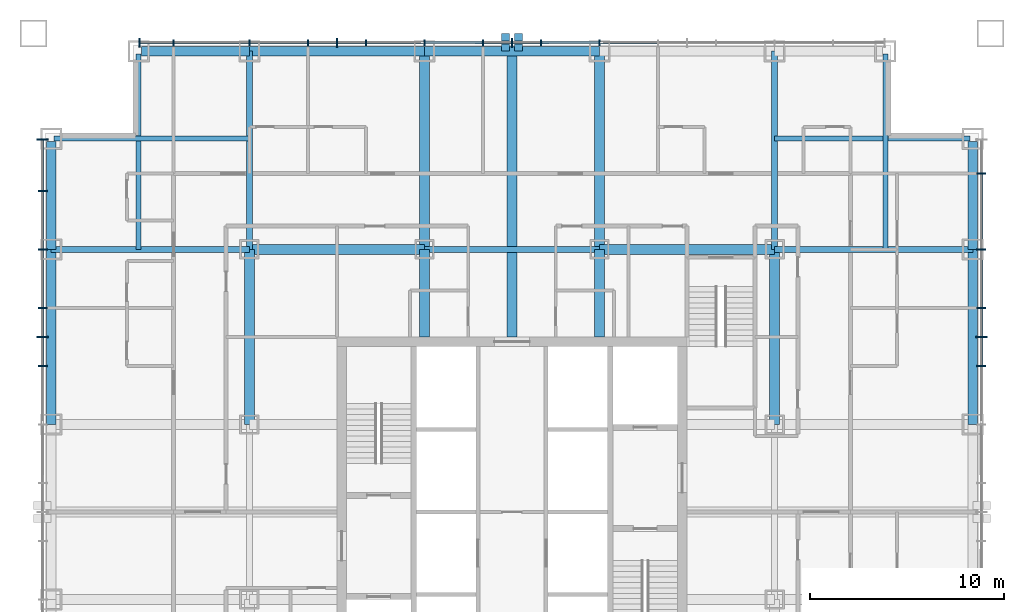
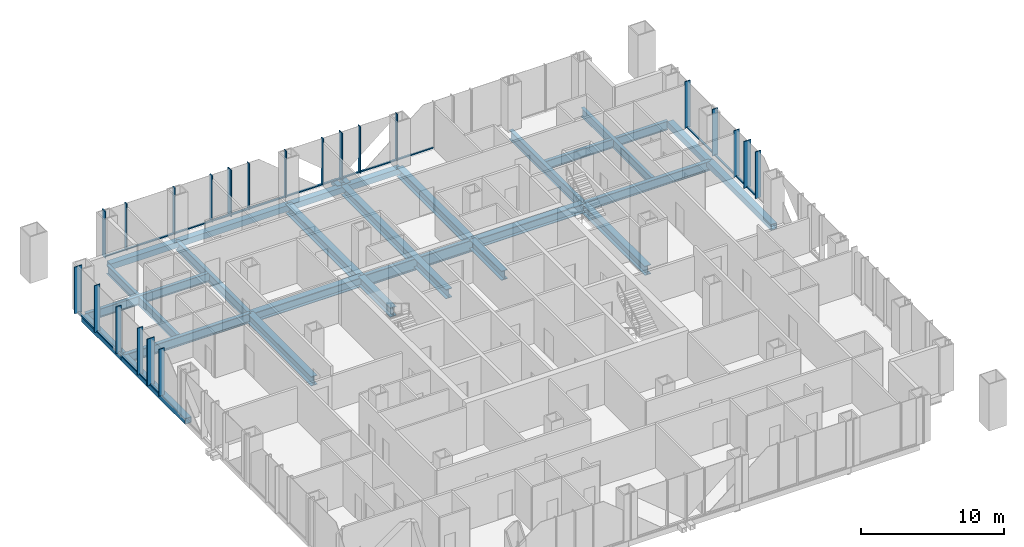
# One storey, part 5 of 17: 44 members, 25 beams, 3 elements without a shape of their own.
"""IFC4 building model written with IfcOpenShell, lengths in metres."""

from ifc_helpers import new_model, si_unit, direction, frame, origin, origin_2d, place, context, subcontext, project, spatial, rectangle, hollow_rectangle, i_section, extrude, material, layer, layer_set, material_profile, profile_set, type_object, element, aggregate, save


model = new_model("IFC4")

# Units and contexts
model_context = context("Model", 3, precision=1e-05, world=origin(), true_north=direction((0.0, 1.0)))
body_context = subcontext(model_context, "Body", "Model", "MODEL_VIEW")
ifc_project = project(units=[si_unit("LENGTHUNIT", "METRE"), si_unit("AREAUNIT", "SQUARE_METRE"), si_unit("VOLUMEUNIT", "CUBIC_METRE"), si_unit("PLANEANGLEUNIT", "RADIAN"), si_unit("MASSUNIT", "GRAM", prefix="KILO")], contexts=[model_context])

# Site, building, storey
site_placement = place(None, origin())
site = spatial("IfcSite", under=ifc_project, at=site_placement, CompositionType="ELEMENT")
building_placement = place(site_placement, origin())
building = spatial("IfcBuilding", under=site, at=building_placement, Name="Malebo Sky Hospital", CompositionType="ELEMENT")
storey_placement = place(building_placement, frame((0.0, 0.0, 120.0)))
storey = spatial("IfcBuildingStorey", under=building, at=storey_placement, Name="L28", CompositionType="ELEMENT", Elevation=120.0)

# Curtain wall, members
ifc_material_1 = material(Name="Anodised aluminium, natural silver", Category="aluminium")
ifc_layer_1 = layer(ifc_material_1, 0.25)
ifc_layer_set_1 = layer_set([ifc_layer_1], Name="WARD CURTAIN WALL NORTH AND SOUTH")
curtain_wall_type_1 = type_object("IfcCurtainWallType", Name="WARD CURTAIN WALL NORTH AND SOUTH", PredefinedType="NOTDEFINED", material=ifc_layer_set_1)
curtain_wall_1_placement = place(storey_placement, origin())
curtain_wall_1 = element("IfcCurtainWall", 1, at=curtain_wall_1_placement, inside=storey, type_object=curtain_wall_type_1, Name="NS curtain wall N", PredefinedType="NOTDEFINED")
ifc_material_profile_1 = material_profile(ifc_material_1, rectangle(XDim=0.14990234375, YDim=0.10009765625, at=origin_2d()), Name="ALUMINIUM TRANSOM 150x100")
ifc_profile_set_1 = profile_set([ifc_material_profile_1], Name="Anodised aluminium, natural silver")
member_type_1 = type_object("IfcMemberType", Name="ALUMINIUM TRANSOM 150x100", PredefinedType="USERDEFINED", material=ifc_profile_set_1)
member_1_placement = place(storey_placement, frame((40.875, 86.135009765625, 0.050048828125), z_axis=(1.0, 0.0, 0.0), x_axis=(0.0, 1.0, 0.0)))
member_1 = element("IfcMember", 2, at=member_1_placement, type_object=member_type_1, Name="Transom 1", ObjectType="TRANSOM", PredefinedType="USERDEFINED", context=body_context, shape_type="SweptSolid", body=[
    extrude(rectangle(XDim=0.14990234375, YDim=0.10009765625, at=origin_2d()), origin(), (0.0, 0.0, 1.0), 1.6875),
])
member_2_placement = place(storey_placement, frame((42.637451171875, 86.135009765625, 0.050048828125), z_axis=(1.0, 0.0, 0.0), x_axis=(0.0, 1.0, 0.0)))
member_2 = element("IfcMember", 3, at=member_2_placement, type_object=member_type_1, Name="Transom 2", ObjectType="TRANSOM", PredefinedType="USERDEFINED", context=body_context, shape_type="SweptSolid", body=[
    extrude(rectangle(XDim=0.14990234375, YDim=0.10009765625, at=origin_2d()), origin(), (0.0, 0.0, 1.0), 3.824951171875),
])
member_3_placement = place(storey_placement, frame((46.53759765625, 86.135009765625, 0.050048828125), z_axis=(1.0, 0.0, 0.0), x_axis=(0.0, 1.0, 0.0)))
member_3 = element("IfcMember", 4, at=member_3_placement, type_object=member_type_1, Name="Transom 3", ObjectType="TRANSOM", PredefinedType="USERDEFINED", context=body_context, shape_type="SweptSolid", body=[
    extrude(rectangle(XDim=0.14990234375, YDim=0.10009765625, at=origin_2d()), origin(), (0.0, 0.0, 1.0), 2.9248046875),
])
member_4_placement = place(storey_placement, frame((49.53759765625, 86.135009765625, 0.050048828125), z_axis=(1.0, 0.0, 0.0), x_axis=(0.0, 1.0, 0.0)))
member_4 = element("IfcMember", 5, at=member_4_placement, type_object=member_type_1, Name="Transom 4", ObjectType="TRANSOM", PredefinedType="USERDEFINED", context=body_context, shape_type="SweptSolid", body=[
    extrude(rectangle(XDim=0.14990234375, YDim=0.10009765625, at=origin_2d()), origin(), (0.0, 0.0, 1.0), 1.4248046875),
])
member_5_placement = place(storey_placement, frame((51.03759765625, 86.135009765625, 0.050048828125), z_axis=(1.0, 0.0, 0.0), x_axis=(0.0, 1.0, 0.0)))
member_5 = element("IfcMember", 6, at=member_5_placement, type_object=member_type_1, Name="Transom 5", ObjectType="TRANSOM", PredefinedType="USERDEFINED", context=body_context, shape_type="SweptSolid", body=[
    extrude(rectangle(XDim=0.14990234375, YDim=0.10009765625, at=origin_2d()), origin(), (0.0, 0.0, 1.0), 1.4248046875),
])
member_6_placement = place(storey_placement, frame((52.53759765625, 86.135009765625, 0.050048828125), z_axis=(1.0, 0.0, 0.0), x_axis=(0.0, 1.0, 0.0)))
member_6 = element("IfcMember", 7, at=member_6_placement, type_object=member_type_1, Name="Transom 6", ObjectType="TRANSOM", PredefinedType="USERDEFINED", context=body_context, shape_type="SweptSolid", body=[
    extrude(rectangle(XDim=0.14990234375, YDim=0.10009765625, at=origin_2d()), origin(), (0.0, 0.0, 1.0), 2.9248046875),
])
member_7_placement = place(storey_placement, frame((55.53759765625, 86.135009765625, 0.050048828125), z_axis=(1.0, 0.0, 0.0), x_axis=(0.0, 1.0, 0.0)))
member_7 = element("IfcMember", 8, at=member_7_placement, type_object=member_type_1, Name="Transom 7", ObjectType="TRANSOM", PredefinedType="USERDEFINED", context=body_context, shape_type="SweptSolid", body=[
    extrude(rectangle(XDim=0.14990234375, YDim=0.10009765625, at=origin_2d()), origin(), (0.0, 0.0, 1.0), 2.9248046875),
])
member_8_placement = place(storey_placement, frame((58.53759765625, 86.135009765625, 0.050048828125), z_axis=(1.0, 0.0, 0.0), x_axis=(0.0, 1.0, 0.0)))
member_8 = element("IfcMember", 9, at=member_8_placement, type_object=member_type_1, Name="Transom 8", ObjectType="TRANSOM", PredefinedType="USERDEFINED", context=body_context, shape_type="SweptSolid", body=[
    extrude(rectangle(XDim=0.14990234375, YDim=0.10009765625, at=origin_2d()), origin(), (0.0, 0.0, 1.0), 1.4248046875),
])
member_9_placement = place(storey_placement, frame((60.03759765625, 86.135009765625, 0.050048828125), z_axis=(1.0, 0.0, 0.0), x_axis=(0.0, 1.0, 0.0)))
member_9 = element("IfcMember", 10, at=member_9_placement, type_object=member_type_1, Name="Transom 9", ObjectType="TRANSOM", PredefinedType="USERDEFINED", context=body_context, shape_type="SweptSolid", body=[
    extrude(rectangle(XDim=0.14990234375, YDim=0.10009765625, at=origin_2d()), origin(), (0.0, 0.0, 1.0), 1.4248046875),
])
member_10_placement = place(storey_placement, frame((61.53759765625, 86.135009765625, 0.050048828125), z_axis=(1.0, 0.0, 0.0), x_axis=(0.0, 1.0, 0.0)))
member_10 = element("IfcMember", 11, at=member_10_placement, type_object=member_type_1, Name="Transom 10", ObjectType="TRANSOM", PredefinedType="USERDEFINED", context=body_context, shape_type="SweptSolid", body=[
    extrude(rectangle(XDim=0.14990234375, YDim=0.10009765625, at=origin_2d()), origin(), (0.0, 0.0, 1.0), 2.9248046875),
])
member_11_placement = place(storey_placement, frame((64.53759765625, 86.135009765625, 0.050048828125), z_axis=(1.0, 0.0, 0.0), x_axis=(0.0, 1.0, 0.0)))
member_11 = element("IfcMember", 12, at=member_11_placement, type_object=member_type_1, Name="Transom 11", ObjectType="TRANSOM", PredefinedType="USERDEFINED", context=body_context, shape_type="SweptSolid", body=[
    extrude(rectangle(XDim=0.14990234375, YDim=0.10009765625, at=origin_2d()), origin(), (0.0, 0.0, 1.0), 2.9248046875),
])

ifc_layer_2 = layer(ifc_material_1, 0.25)
ifc_layer_set_2 = layer_set([ifc_layer_2], Name="WARD CURTAIN WALL EAST AND WEST")
curtain_wall_type_2 = type_object("IfcCurtainWallType", Name="WARD CURTAIN WALL EAST AND WEST", PredefinedType="NOTDEFINED", material=ifc_layer_set_2)
curtain_wall_2_placement = place(storey_placement, origin())
curtain_wall_2 = element("IfcCurtainWall", 13, at=curtain_wall_2_placement, inside=storey, type_object=curtain_wall_type_2, Name="EW curtain wall W", PredefinedType="NOTDEFINED")
member_12_placement = place(storey_placement, frame((35.864990234375, 69.53759765625, 0.050048828125), z_axis=(0.0, 1.0, 0.0), x_axis=(-1.0, 0.0, 0.0)))
member_12 = element("IfcMember", 14, at=member_12_placement, type_object=member_type_1, Name="Transom 12", ObjectType="TRANSOM", PredefinedType="USERDEFINED", context=body_context, shape_type="SweptSolid", body=[
    extrude(rectangle(XDim=0.14990234375, YDim=0.10009765625, at=origin_2d()), origin(), (0.0, 0.0, 1.0), 1.4248046875),
])
member_13_placement = place(storey_placement, frame((35.864990234375, 71.03759765625, 0.050048828125), z_axis=(0.0, 1.0, 0.0), x_axis=(-1.0, 0.0, 0.0)))
member_13 = element("IfcMember", 15, at=member_13_placement, type_object=member_type_1, Name="Transom 13", ObjectType="TRANSOM", PredefinedType="USERDEFINED", context=body_context, shape_type="SweptSolid", body=[
    extrude(rectangle(XDim=0.14990234375, YDim=0.10009765625, at=origin_2d()), origin(), (0.0, 0.0, 1.0), 1.4248046875),
])
member_14_placement = place(storey_placement, frame((35.864990234375, 72.53759765625, 0.050048828125), z_axis=(0.0, 1.0, 0.0), x_axis=(-1.0, 0.0, 0.0)))
member_14 = element("IfcMember", 16, at=member_14_placement, type_object=member_type_1, Name="Transom 14", ObjectType="TRANSOM", PredefinedType="USERDEFINED", context=body_context, shape_type="SweptSolid", body=[
    extrude(rectangle(XDim=0.14990234375, YDim=0.10009765625, at=origin_2d()), origin(), (0.0, 0.0, 1.0), 2.9248046875),
])
member_15_placement = place(storey_placement, frame((35.864990234375, 75.53759765625, 0.050048828125), z_axis=(0.0, 1.0, 0.0), x_axis=(-1.0, 0.0, 0.0)))
member_15 = element("IfcMember", 17, at=member_15_placement, type_object=member_type_1, Name="Transom 15", ObjectType="TRANSOM", PredefinedType="USERDEFINED", context=body_context, shape_type="SweptSolid", body=[
    extrude(rectangle(XDim=0.14990234375, YDim=0.10009765625, at=origin_2d()), origin(), (0.0, 0.0, 1.0), 2.9248046875),
])
member_16_placement = place(storey_placement, frame((35.864990234375, 78.53759765625, 0.050048828125), z_axis=(0.0, 1.0, 0.0), x_axis=(-1.0, 0.0, 0.0)))
member_16 = element("IfcMember", 18, at=member_16_placement, type_object=member_type_1, Name="Transom 16", ObjectType="TRANSOM", PredefinedType="USERDEFINED", context=body_context, shape_type="SweptSolid", body=[
    extrude(rectangle(XDim=0.14990234375, YDim=0.10009765625, at=origin_2d()), origin(), (0.0, 0.0, 1.0), 2.58740234375),
])

curtain_wall_3_placement = place(storey_placement, origin())
curtain_wall_3 = element("IfcCurtainWall", 19, at=curtain_wall_3_placement, inside=storey, type_object=curtain_wall_type_2, Name="EW curtain wall E", PredefinedType="NOTDEFINED")
member_17_placement = place(storey_placement, frame((84.135009765625, 79.362548828125, 0.050048828125), z_axis=(0.0, -1.0, 0.0), x_axis=(1.0, 0.0, 0.0)))
member_17 = element("IfcMember", 20, at=member_17_placement, type_object=member_type_1, Name="Transom 2", ObjectType="TRANSOM", PredefinedType="USERDEFINED", context=body_context, shape_type="SweptSolid", body=[
    extrude(rectangle(XDim=0.14990234375, YDim=0.10009765625, at=origin_2d()), origin(), (0.0, 0.0, 1.0), 3.824951171875),
])
member_18_placement = place(storey_placement, frame((84.135009765625, 75.46240234375, 0.050048828125), z_axis=(0.0, -1.0, 0.0), x_axis=(1.0, 0.0, 0.0)))
member_18 = element("IfcMember", 21, at=member_18_placement, type_object=member_type_1, Name="Transom 3", ObjectType="TRANSOM", PredefinedType="USERDEFINED", context=body_context, shape_type="SweptSolid", body=[
    extrude(rectangle(XDim=0.14990234375, YDim=0.10009765625, at=origin_2d()), origin(), (0.0, 0.0, 1.0), 2.9248046875),
])
member_19_placement = place(storey_placement, frame((84.135009765625, 72.46240234375, 0.050048828125), z_axis=(0.0, -1.0, 0.0), x_axis=(1.0, 0.0, 0.0)))
member_19 = element("IfcMember", 22, at=member_19_placement, type_object=member_type_1, Name="Transom 4", ObjectType="TRANSOM", PredefinedType="USERDEFINED", context=body_context, shape_type="SweptSolid", body=[
    extrude(rectangle(XDim=0.14990234375, YDim=0.10009765625, at=origin_2d()), origin(), (0.0, 0.0, 1.0), 1.4248046875),
])
member_20_placement = place(storey_placement, frame((84.135009765625, 70.96240234375, 0.050048828125), z_axis=(0.0, -1.0, 0.0), x_axis=(1.0, 0.0, 0.0)))
member_20 = element("IfcMember", 23, at=member_20_placement, type_object=member_type_1, Name="Transom 5", ObjectType="TRANSOM", PredefinedType="USERDEFINED", context=body_context, shape_type="SweptSolid", body=[
    extrude(rectangle(XDim=0.14990234375, YDim=0.10009765625, at=origin_2d()), origin(), (0.0, 0.0, 1.0), 1.4248046875),
])

# Members
ifc_material_2 = material(Name="Steel S355", Category="steel")
ifc_material_profile_2 = material_profile(ifc_material_2, hollow_rectangle(XDim=0.39990234375, YDim=0.39990234375, WallThickness=0.02001953125, at=origin_2d()), Name="SHS 400x20")
ifc_profile_set_2 = profile_set([ifc_material_profile_2], Name="Steel S355")
member_type_2 = type_object("IfcMemberType", Name="BRACE STRUT SHS 400x20", PredefinedType="STRUT", material=ifc_profile_set_2)
for number, where, z_axis, x_axis, name in (
    (24, (59.666259765625, 86.60009765625, -0.39990234375), (0.0, -1.0, 0.0), (1.0, 0.0, 0.0), "Brace strut BN1 L28"),
    (25, (60.333740234375, 86.60009765625, -0.39990234375), (0.0, -1.0, 0.0), (1.0, 0.0, 0.0), "Brace strut BN2 L28"),
):
    element("IfcMember", number, at=place(storey_placement, frame(where, z_axis=z_axis, x_axis=x_axis)), inside=storey, type_object=member_type_2, Name=name, PredefinedType="STRUT", context=body_context, shape_type="SweptSolid", body=[
        extrude(hollow_rectangle(XDim=0.39990234375, YDim=0.39990234375, WallThickness=0.02001953125, at=origin_2d()), origin(), (0.0, 0.0, 1.0), 0.900146484375),
    ])

# Member
ifc_material_profile_3 = material_profile(ifc_material_1, rectangle(XDim=0.074951171875, YDim=0.300048828125, at=origin_2d()), Name="CW1 ALUMINIUM FIN MULLION 75x300")
ifc_profile_set_3 = profile_set([ifc_material_profile_3], Name="Anodised aluminium, natural silver")
member_type_3 = type_object("IfcMemberType", Name="CW1 ALUMINIUM FIN MULLION 75x300", PredefinedType="MULLION", material=ifc_profile_set_3)
member_21_placement = place(storey_placement, frame((42.60009765625, 86.135009765625, 0.0), z_axis=(0.0, 0.0, 1.0), x_axis=(1.0, 0.0, 0.0)))
member_21 = element("IfcMember", 26, at=member_21_placement, type_object=member_type_3, Name="Fin mullion 2", PredefinedType="MULLION", context=body_context, shape_type="SweptSolid", body=[
    extrude(rectangle(XDim=0.074951171875, YDim=0.300048828125, at=origin_2d()), origin(), (0.0, 0.0, 1.0), 4.0),
])

member_22_placement = place(storey_placement, frame((46.5, 86.135009765625, 0.0), z_axis=(0.0, 0.0, 1.0), x_axis=(1.0, 0.0, 0.0)))
member_22 = element("IfcMember", 27, at=member_22_placement, type_object=member_type_3, Name="Fin mullion 3", PredefinedType="MULLION", context=body_context, shape_type="SweptSolid", body=[
    extrude(rectangle(XDim=0.074951171875, YDim=0.300048828125, at=origin_2d()), origin(), (0.0, 0.0, 1.0), 4.0),
])

member_23_placement = place(storey_placement, frame((49.5, 86.135009765625, 0.0), z_axis=(0.0, 0.0, 1.0), x_axis=(1.0, 0.0, 0.0)))
member_23 = element("IfcMember", 28, at=member_23_placement, type_object=member_type_3, Name="Fin mullion 4", PredefinedType="MULLION", context=body_context, shape_type="SweptSolid", body=[
    extrude(rectangle(XDim=0.074951171875, YDim=0.300048828125, at=origin_2d()), origin(), (0.0, 0.0, 1.0), 4.0),
])

member_24_placement = place(storey_placement, frame((52.5, 86.135009765625, 0.0), z_axis=(0.0, 0.0, 1.0), x_axis=(1.0, 0.0, 0.0)))
member_24 = element("IfcMember", 29, at=member_24_placement, type_object=member_type_3, Name="Fin mullion 6", PredefinedType="MULLION", context=body_context, shape_type="SweptSolid", body=[
    extrude(rectangle(XDim=0.074951171875, YDim=0.300048828125, at=origin_2d()), origin(), (0.0, 0.0, 1.0), 4.0),
])

member_25_placement = place(storey_placement, frame((55.5, 86.135009765625, 0.0), z_axis=(0.0, 0.0, 1.0), x_axis=(1.0, 0.0, 0.0)))
member_25 = element("IfcMember", 30, at=member_25_placement, type_object=member_type_3, Name="Fin mullion 7", PredefinedType="MULLION", context=body_context, shape_type="SweptSolid", body=[
    extrude(rectangle(XDim=0.074951171875, YDim=0.300048828125, at=origin_2d()), origin(), (0.0, 0.0, 1.0), 4.0),
])

member_26_placement = place(storey_placement, frame((58.5, 86.135009765625, 0.0), z_axis=(0.0, 0.0, 1.0), x_axis=(1.0, 0.0, 0.0)))
member_26 = element("IfcMember", 31, at=member_26_placement, type_object=member_type_3, Name="Fin mullion 8", PredefinedType="MULLION", context=body_context, shape_type="SweptSolid", body=[
    extrude(rectangle(XDim=0.074951171875, YDim=0.300048828125, at=origin_2d()), origin(), (0.0, 0.0, 1.0), 4.0),
])

member_27_placement = place(storey_placement, frame((61.5, 86.135009765625, 0.0), z_axis=(0.0, 0.0, 1.0), x_axis=(1.0, 0.0, 0.0)))
member_27 = element("IfcMember", 32, at=member_27_placement, type_object=member_type_3, Name="Fin mullion 10", PredefinedType="MULLION", context=body_context, shape_type="SweptSolid", body=[
    extrude(rectangle(XDim=0.074951171875, YDim=0.300048828125, at=origin_2d()), origin(), (0.0, 0.0, 1.0), 4.0),
])

member_28_placement = place(storey_placement, frame((64.5, 86.135009765625, 0.0), z_axis=(0.0, 0.0, 1.0), x_axis=(1.0, 0.0, 0.0)))
member_28 = element("IfcMember", 33, at=member_28_placement, type_object=member_type_3, Name="Fin mullion 11", PredefinedType="MULLION", context=body_context, shape_type="SweptSolid", body=[
    extrude(rectangle(XDim=0.074951171875, YDim=0.300048828125, at=origin_2d()), origin(), (0.0, 0.0, 1.0), 4.0),
])

ifc_material_profile_4 = material_profile(ifc_material_1, rectangle(XDim=0.074951171875, YDim=0.449951171875, at=origin_2d()), Name="CW1 ALUMINIUM FIN MULLION 75x450")
ifc_profile_set_4 = profile_set([ifc_material_profile_4], Name="Anodised aluminium, natural silver")
member_type_4 = type_object("IfcMemberType", Name="CW1 ALUMINIUM FIN MULLION 75x450", PredefinedType="MULLION", material=ifc_profile_set_4)
member_29_placement = place(storey_placement, frame((40.83740234375, 86.135009765625, 0.0), z_axis=(0.0, 0.0, 1.0), x_axis=(1.0, 0.0, 0.0)))
member_29 = element("IfcMember", 34, at=member_29_placement, type_object=member_type_4, Name="Fin mullion 1", PredefinedType="MULLION", context=body_context, shape_type="SweptSolid", body=[
    extrude(rectangle(XDim=0.074951171875, YDim=0.449951171875, at=origin_2d()), origin(), (0.0, 0.0, 1.0), 4.0),
])

member_30_placement = place(storey_placement, frame((51.0, 86.135009765625, 0.0), z_axis=(0.0, 0.0, 1.0), x_axis=(1.0, 0.0, 0.0)))
member_30 = element("IfcMember", 35, at=member_30_placement, type_object=member_type_4, Name="Fin mullion 5", PredefinedType="MULLION", context=body_context, shape_type="SweptSolid", body=[
    extrude(rectangle(XDim=0.074951171875, YDim=0.449951171875, at=origin_2d()), origin(), (0.0, 0.0, 1.0), 4.0),
])

member_31_placement = place(storey_placement, frame((60.0, 86.135009765625, 0.0), z_axis=(0.0, 0.0, 1.0), x_axis=(1.0, 0.0, 0.0)))
member_31 = element("IfcMember", 36, at=member_31_placement, type_object=member_type_4, Name="Fin mullion 9", PredefinedType="MULLION", context=body_context, shape_type="SweptSolid", body=[
    extrude(rectangle(XDim=0.074951171875, YDim=0.449951171875, at=origin_2d()), origin(), (0.0, 0.0, 1.0), 4.0),
])

aggregate(curtain_wall_1, [member_29, member_21, member_22, member_23, member_30, member_24, member_25, member_26, member_31, member_27, member_28, member_1, member_2, member_3, member_4, member_5, member_6, member_7, member_8, member_9, member_10, member_11])

ifc_material_profile_5 = material_profile(ifc_material_1, rectangle(XDim=0.074951171875, YDim=0.449951171875, at=origin_2d()), Name="CW2 ALUMINIUM FIN MULLION 75x450")
ifc_profile_set_5 = profile_set([ifc_material_profile_5], Name="Anodised aluminium, natural silver")
member_type_5 = type_object("IfcMemberType", Name="CW2 ALUMINIUM FIN MULLION 75x450", PredefinedType="MULLION", material=ifc_profile_set_5)
member_32_placement = place(storey_placement, frame((35.864990234375, 69.5, 0.0), z_axis=(0.0, 0.0, 1.0), x_axis=(0.0, 1.0, 0.0)))
member_32 = element("IfcMember", 37, at=member_32_placement, type_object=member_type_5, Name="Fin mullion 12", PredefinedType="MULLION", context=body_context, shape_type="SweptSolid", body=[
    extrude(rectangle(XDim=0.074951171875, YDim=0.449951171875, at=origin_2d()), origin(), (0.0, 0.0, 1.0), 4.0),
])

member_33_placement = place(storey_placement, frame((35.864990234375, 72.5, 0.0), z_axis=(0.0, 0.0, 1.0), x_axis=(0.0, 1.0, 0.0)))
member_33 = element("IfcMember", 38, at=member_33_placement, type_object=member_type_5, Name="Fin mullion 14", PredefinedType="MULLION", context=body_context, shape_type="SweptSolid", body=[
    extrude(rectangle(XDim=0.074951171875, YDim=0.449951171875, at=origin_2d()), origin(), (0.0, 0.0, 1.0), 4.0),
])

member_34_placement = place(storey_placement, frame((35.864990234375, 75.5, 0.0), z_axis=(0.0, 0.0, 1.0), x_axis=(0.0, 1.0, 0.0)))
member_34 = element("IfcMember", 39, at=member_34_placement, type_object=member_type_5, Name="Fin mullion 15", PredefinedType="MULLION", context=body_context, shape_type="SweptSolid", body=[
    extrude(rectangle(XDim=0.074951171875, YDim=0.449951171875, at=origin_2d()), origin(), (0.0, 0.0, 1.0), 4.0),
])

member_35_placement = place(storey_placement, frame((35.864990234375, 78.5, 0.0), z_axis=(0.0, 0.0, 1.0), x_axis=(0.0, 1.0, 0.0)))
member_35 = element("IfcMember", 40, at=member_35_placement, type_object=member_type_5, Name="Fin mullion 16", PredefinedType="MULLION", context=body_context, shape_type="SweptSolid", body=[
    extrude(rectangle(XDim=0.074951171875, YDim=0.449951171875, at=origin_2d()), origin(), (0.0, 0.0, 1.0), 4.0),
])

member_36_placement = place(storey_placement, frame((84.135009765625, 79.39990234375, 0.0), z_axis=(0.0, 0.0, 1.0), x_axis=(0.0, -1.0, 0.0)))
member_36 = element("IfcMember", 41, at=member_36_placement, type_object=member_type_5, Name="Fin mullion 2", PredefinedType="MULLION", context=body_context, shape_type="SweptSolid", body=[
    extrude(rectangle(XDim=0.074951171875, YDim=0.449951171875, at=origin_2d()), origin(), (0.0, 0.0, 1.0), 4.0),
])

member_37_placement = place(storey_placement, frame((84.135009765625, 75.5, 0.0), z_axis=(0.0, 0.0, 1.0), x_axis=(0.0, -1.0, 0.0)))
member_37 = element("IfcMember", 42, at=member_37_placement, type_object=member_type_5, Name="Fin mullion 3", PredefinedType="MULLION", context=body_context, shape_type="SweptSolid", body=[
    extrude(rectangle(XDim=0.074951171875, YDim=0.449951171875, at=origin_2d()), origin(), (0.0, 0.0, 1.0), 4.0),
])

member_38_placement = place(storey_placement, frame((84.135009765625, 72.5, 0.0), z_axis=(0.0, 0.0, 1.0), x_axis=(0.0, -1.0, 0.0)))
member_38 = element("IfcMember", 43, at=member_38_placement, type_object=member_type_5, Name="Fin mullion 4", PredefinedType="MULLION", context=body_context, shape_type="SweptSolid", body=[
    extrude(rectangle(XDim=0.074951171875, YDim=0.449951171875, at=origin_2d()), origin(), (0.0, 0.0, 1.0), 4.0),
])

member_39_placement = place(storey_placement, frame((84.135009765625, 69.5, 0.0), z_axis=(0.0, 0.0, 1.0), x_axis=(0.0, -1.0, 0.0)))
member_39 = element("IfcMember", 44, at=member_39_placement, type_object=member_type_5, Name="Fin mullion 6", PredefinedType="MULLION", context=body_context, shape_type="SweptSolid", body=[
    extrude(rectangle(XDim=0.074951171875, YDim=0.449951171875, at=origin_2d()), origin(), (0.0, 0.0, 1.0), 4.0),
])

ifc_material_profile_6 = material_profile(ifc_material_1, rectangle(XDim=0.074951171875, YDim=0.60009765625, at=origin_2d()), Name="CW2 ALUMINIUM FIN MULLION 75x600")
ifc_profile_set_6 = profile_set([ifc_material_profile_6], Name="Anodised aluminium, natural silver")
member_type_6 = type_object("IfcMemberType", Name="CW2 ALUMINIUM FIN MULLION 75x600", PredefinedType="MULLION", material=ifc_profile_set_6)
member_40_placement = place(storey_placement, frame((35.864990234375, 71.0, 0.0), z_axis=(0.0, 0.0, 1.0), x_axis=(0.0, 1.0, 0.0)))
member_40 = element("IfcMember", 45, at=member_40_placement, type_object=member_type_6, Name="Fin mullion 13", PredefinedType="MULLION", context=body_context, shape_type="SweptSolid", body=[
    extrude(rectangle(XDim=0.074951171875, YDim=0.60009765625, at=origin_2d()), origin(), (0.0, 0.0, 1.0), 4.0),
])

member_41_placement = place(storey_placement, frame((35.864990234375, 81.16259765625, 0.0), z_axis=(0.0, 0.0, 1.0), x_axis=(0.0, 1.0, 0.0)))
member_41 = element("IfcMember", 46, at=member_41_placement, type_object=member_type_6, Name="Fin mullion 17", PredefinedType="MULLION", context=body_context, shape_type="SweptSolid", body=[
    extrude(rectangle(XDim=0.074951171875, YDim=0.60009765625, at=origin_2d()), origin(), (0.0, 0.0, 1.0), 4.0),
])

aggregate(curtain_wall_2, [member_32, member_40, member_33, member_34, member_35, member_41, member_12, member_13, member_14, member_15, member_16])

member_42_placement = place(storey_placement, frame((84.135009765625, 71.0, 0.0), z_axis=(0.0, 0.0, 1.0), x_axis=(0.0, -1.0, 0.0)))
member_42 = element("IfcMember", 47, at=member_42_placement, type_object=member_type_6, Name="Fin mullion 5", PredefinedType="MULLION", context=body_context, shape_type="SweptSolid", body=[
    extrude(rectangle(XDim=0.074951171875, YDim=0.60009765625, at=origin_2d()), origin(), (0.0, 0.0, 1.0), 4.0),
])

aggregate(curtain_wall_3, [member_36, member_37, member_38, member_42, member_39, member_17, member_18, member_19, member_20])

# Beams
ifc_material_3 = material(Name="Steel S460", Category="steel")
ifc_material_profile_7 = material_profile(ifc_material_3, hollow_rectangle(XDim=0.5, YDim=0.5, WallThickness=0.030029296875, at=origin_2d()), Name="BOX 500x500x30")
ifc_profile_set_7 = profile_set([ifc_material_profile_7], Name="Steel S460")
beam_type_1 = type_object("IfcBeamType", Name="EDGE BEAM BOX 500x500x30", PredefinedType="BEAM", material=ifc_profile_set_7)
beam_1_placement = place(storey_placement, frame((36.300048828125, 66.5, -0.5), z_axis=(0.0, 1.0, 0.0), x_axis=(-1.0, 0.0, 0.0)))
element("IfcBeam", 48, at=beam_1_placement, inside=storey, type_object=beam_type_1, Name="Beam 003 L28", PredefinedType="BEAM", context=body_context, shape_type="SweptSolid", body=[
    extrude(hollow_rectangle(XDim=0.5, YDim=0.5, WallThickness=0.030029296875, at=origin_2d()), origin(), (0.0, 0.0, 1.0), 9.0),
])
beam_2_placement = place(storey_placement, frame((36.300048828125, 75.5, -0.5), z_axis=(0.0, 1.0, 0.0), x_axis=(-1.0, 0.0, 0.0)))
element("IfcBeam", 49, at=beam_2_placement, inside=storey, type_object=beam_type_1, Name="Beam 004 L28", PredefinedType="BEAM", context=body_context, shape_type="SweptSolid", body=[
    extrude(hollow_rectangle(XDim=0.5, YDim=0.5, WallThickness=0.030029296875, at=origin_2d()), origin(), (0.0, 0.0, 1.0), 5.550048828125),
])
beam_3_placement = place(storey_placement, frame((83.699951171875, 66.5, -0.5), z_axis=(0.0, 1.0, 0.0), x_axis=(-1.0, 0.0, 0.0)))
element("IfcBeam", 50, at=beam_3_placement, inside=storey, type_object=beam_type_1, Name="Beam 032 L28", PredefinedType="BEAM", context=body_context, shape_type="SweptSolid", body=[
    extrude(hollow_rectangle(XDim=0.5, YDim=0.5, WallThickness=0.030029296875, at=origin_2d()), origin(), (0.0, 0.0, 1.0), 9.0),
])
for number, where, z_axis, x_axis, name in (
    (51, (83.699951171875, 75.5, -0.5), (0.0, 1.0, 0.0), (-1.0, 0.0, 0.0), "Beam 033 L28"),
    (52, (40.949951171875, 85.699951171875, -0.5), (1.0, 0.0, 0.0), (0.0, 1.0, 0.0), "Beam 063 L28"),
):
    element("IfcBeam", number, at=place(storey_placement, frame(where, z_axis=z_axis, x_axis=x_axis)), inside=storey, type_object=beam_type_1, Name=name, PredefinedType="BEAM", context=body_context, shape_type="SweptSolid", body=[
        extrude(hollow_rectangle(XDim=0.5, YDim=0.5, WallThickness=0.030029296875, at=origin_2d()), origin(), (0.0, 0.0, 1.0), 5.550048828125),
    ])
for number, where, z_axis, x_axis, name in (
    (53, (46.5, 85.699951171875, -0.5), (1.0, 0.0, 0.0), (0.0, 1.0, 0.0), "Beam 064 L28"),
    (54, (55.5, 85.699951171875, -0.5), (1.0, 0.0, 0.0), (0.0, 1.0, 0.0), "Beam 065 L28"),
):
    element("IfcBeam", number, at=place(storey_placement, frame(where, z_axis=z_axis, x_axis=x_axis)), inside=storey, type_object=beam_type_1, Name=name, PredefinedType="BEAM", context=body_context, shape_type="SweptSolid", body=[
        extrude(hollow_rectangle(XDim=0.5, YDim=0.5, WallThickness=0.030029296875, at=origin_2d()), origin(), (0.0, 0.0, 1.0), 9.0),
    ])
ifc_material_profile_8 = material_profile(ifc_material_2, i_section(OverallWidth=0.262939453125, OverallDepth=0.7529296875, WebThickness=0.011474609375, FlangeThickness=0.01708984375, FilletRadius=0.01708984375, at=origin_2d()), Name="IPE 750x137")
ifc_profile_set_8 = profile_set([ifc_material_profile_8], Name="Steel S355")
beam_type_2 = type_object("IfcBeamType", Name="FLOOR BEAM IPE 750x137", PredefinedType="BEAM", material=ifc_profile_set_8)
for number, where, z_axis, x_axis, name in (
    (55, (40.800048828125, 75.5, -0.62646484375), (0.0, 1.0, 0.0), (-1.0, 0.0, 0.0), "Beam 006 L28"),
    (56, (79.199951171875, 75.5, -0.62646484375), (0.0, 1.0, 0.0), (-1.0, 0.0, 0.0), "Beam 028 L28"),
    (57, (36.449951171875, 81.199951171875, -0.62646484375), (1.0, 0.0, 0.0), (0.0, 1.0, 0.0), "Beam 061 L28"),
    (58, (73.5, 81.199951171875, -0.62646484375), (1.0, 0.0, 0.0), (0.0, 1.0, 0.0), "Beam 062 L28"),
):
    element("IfcBeam", number, at=place(storey_placement, frame(where, z_axis=z_axis, x_axis=x_axis)), inside=storey, type_object=beam_type_2, Name=name, PredefinedType="BEAM", context=body_context, shape_type="SweptSolid", body=[
        extrude(i_section(OverallWidth=0.262939453125, OverallDepth=0.7529296875, WebThickness=0.011474609375, FlangeThickness=0.01708984375, FilletRadius=0.01708984375, at=origin_2d()), origin(), (0.0, 0.0, 1.0), 10.050048828125),
    ])
ifc_material_profile_9 = material_profile(ifc_material_2, i_section(OverallWidth=0.5, OverallDepth=0.800048828125, WebThickness=0.030029296875, FlangeThickness=0.050048828125, at=origin_2d()), Name="PG 800x500x30x50")
ifc_profile_set_9 = profile_set([ifc_material_profile_9], Name="Steel S355")
beam_type_3 = type_object("IfcBeamType", Name="FLOOR BEAM PG 800x500x30x50", PredefinedType="BEAM", material=ifc_profile_set_9)
beam_4_placement = place(storey_placement, frame((46.5, 66.5, -0.64990234375), z_axis=(0.0, 1.0, 0.0), x_axis=(-1.0, 0.0, 0.0)))
element("IfcBeam", 59, at=beam_4_placement, inside=storey, type_object=beam_type_3, Name="Beam 010 L28", PredefinedType="BEAM", context=body_context, shape_type="SweptSolid", body=[
    extrude(i_section(OverallWidth=0.5, OverallDepth=0.800048828125, WebThickness=0.030029296875, FlangeThickness=0.050048828125, at=origin_2d()), origin(), (0.0, 0.0, 1.0), 9.0),
])
beam_5_placement = place(storey_placement, frame((55.5, 71.0, -0.64990234375), z_axis=(0.0, 1.0, 0.0), x_axis=(-1.0, 0.0, 0.0)))
element("IfcBeam", 60, at=beam_5_placement, inside=storey, type_object=beam_type_3, Name="Beam 014 L28", PredefinedType="BEAM", context=body_context, shape_type="SweptSolid", body=[
    extrude(i_section(OverallWidth=0.5, OverallDepth=0.800048828125, WebThickness=0.030029296875, FlangeThickness=0.050048828125, at=origin_2d()), origin(), (0.0, 0.0, 1.0), 4.5),
])
beam_6_placement = place(storey_placement, frame((55.5, 75.5, -0.64990234375), z_axis=(0.0, 1.0, 0.0), x_axis=(-1.0, 0.0, 0.0)))
element("IfcBeam", 61, at=beam_6_placement, inside=storey, type_object=beam_type_3, Name="Beam 015 L28", PredefinedType="BEAM", context=body_context, shape_type="SweptSolid", body=[
    extrude(i_section(OverallWidth=0.5, OverallDepth=0.800048828125, WebThickness=0.030029296875, FlangeThickness=0.050048828125, at=origin_2d()), origin(), (0.0, 0.0, 1.0), 10.199951171875),
])
beam_7_placement = place(storey_placement, frame((60.0, 71.0, -0.64990234375), z_axis=(0.0, 1.0, 0.0), x_axis=(-1.0, 0.0, 0.0)))
element("IfcBeam", 62, at=beam_7_placement, inside=storey, type_object=beam_type_3, Name="Beam 017 L28", PredefinedType="BEAM", context=body_context, shape_type="SweptSolid", body=[
    extrude(i_section(OverallWidth=0.5, OverallDepth=0.800048828125, WebThickness=0.030029296875, FlangeThickness=0.050048828125, at=origin_2d()), origin(), (0.0, 0.0, 1.0), 14.699951171875),
])
beam_8_placement = place(storey_placement, frame((64.5, 71.0, -0.64990234375), z_axis=(0.0, 1.0, 0.0), x_axis=(-1.0, 0.0, 0.0)))
element("IfcBeam", 63, at=beam_8_placement, inside=storey, type_object=beam_type_3, Name="Beam 020 L28", PredefinedType="BEAM", context=body_context, shape_type="SweptSolid", body=[
    extrude(i_section(OverallWidth=0.5, OverallDepth=0.800048828125, WebThickness=0.030029296875, FlangeThickness=0.050048828125, at=origin_2d()), origin(), (0.0, 0.0, 1.0), 4.5),
])
beam_9_placement = place(storey_placement, frame((64.5, 75.5, -0.64990234375), z_axis=(0.0, 1.0, 0.0), x_axis=(-1.0, 0.0, 0.0)))
element("IfcBeam", 64, at=beam_9_placement, inside=storey, type_object=beam_type_3, Name="Beam 021 L28", PredefinedType="BEAM", context=body_context, shape_type="SweptSolid", body=[
    extrude(i_section(OverallWidth=0.5, OverallDepth=0.800048828125, WebThickness=0.030029296875, FlangeThickness=0.050048828125, at=origin_2d()), origin(), (0.0, 0.0, 1.0), 10.199951171875),
])
for number, where, z_axis, x_axis, name in (
    (65, (73.5, 66.5, -0.64990234375), (0.0, 1.0, 0.0), (-1.0, 0.0, 0.0), "Beam 025 L28"),
    (66, (46.5, 75.5, -0.64990234375), (1.0, 0.0, 0.0), (0.0, 1.0, 0.0), "Beam 057 L28"),
    (67, (64.5, 75.5, -0.64990234375), (1.0, 0.0, 0.0), (0.0, 1.0, 0.0), "Beam 059 L28"),
):
    element("IfcBeam", number, at=place(storey_placement, frame(where, z_axis=z_axis, x_axis=x_axis)), inside=storey, type_object=beam_type_3, Name=name, PredefinedType="BEAM", context=body_context, shape_type="SweptSolid", body=[
        extrude(i_section(OverallWidth=0.5, OverallDepth=0.800048828125, WebThickness=0.030029296875, FlangeThickness=0.050048828125, at=origin_2d()), origin(), (0.0, 0.0, 1.0), 9.0),
    ])
ifc_material_profile_10 = material_profile(ifc_material_2, i_section(OverallWidth=0.300048828125, OverallDepth=0.800048828125, WebThickness=0.017578125, FlangeThickness=0.032958984375, FilletRadius=0.030029296875, at=origin_2d()), Name="HEB 800")
ifc_profile_set_10 = profile_set([ifc_material_profile_10], Name="Steel S355")
beam_type_4 = type_object("IfcBeamType", Name="FLOOR GIRDER HEB 800", PredefinedType="BEAM", material=ifc_profile_set_10)
for number, where, z_axis, x_axis, name in (
    (68, (46.5, 75.5, -0.64990234375), (0.0, 1.0, 0.0), (-1.0, 0.0, 0.0), "Beam 011 L28"),
    (69, (73.5, 75.5, -0.64990234375), (0.0, 1.0, 0.0), (-1.0, 0.0, 0.0), "Beam 026 L28"),
    (70, (36.300048828125, 75.5, -0.64990234375), (1.0, 0.0, 0.0), (0.0, 1.0, 0.0), "Beam 056 L28"),
    (71, (73.5, 75.5, -0.64990234375), (1.0, 0.0, 0.0), (0.0, 1.0, 0.0), "Beam 060 L28"),
):
    element("IfcBeam", number, at=place(storey_placement, frame(where, z_axis=z_axis, x_axis=x_axis)), inside=storey, type_object=beam_type_4, Name=name, PredefinedType="BEAM", context=body_context, shape_type="SweptSolid", body=[
        extrude(i_section(OverallWidth=0.300048828125, OverallDepth=0.800048828125, WebThickness=0.017578125, FlangeThickness=0.032958984375, FilletRadius=0.030029296875, at=origin_2d()), origin(), (0.0, 0.0, 1.0), 10.199951171875),
    ])
ifc_material_profile_11 = material_profile(ifc_material_2, i_section(OverallWidth=0.300048828125, OverallDepth=1.0, WebThickness=0.01904296875, FlangeThickness=0.035888671875, FilletRadius=0.030029296875, at=origin_2d()), Name="HEB 1000")
ifc_profile_set_11 = profile_set([ifc_material_profile_11], Name="Steel S355")
beam_type_5 = type_object("IfcBeamType", Name="RING GIRDER HEB 1000", PredefinedType="BEAM", material=ifc_profile_set_11)
beam_10_placement = place(storey_placement, frame((55.5, 75.5, -0.75), z_axis=(1.0, 0.0, 0.0), x_axis=(0.0, 1.0, 0.0)))
element("IfcBeam", 72, at=beam_10_placement, inside=storey, type_object=beam_type_5, Name="Beam 058 L28", PredefinedType="BEAM", context=body_context, shape_type="SweptSolid", body=[
    extrude(i_section(OverallWidth=0.300048828125, OverallDepth=1.0, WebThickness=0.01904296875, FlangeThickness=0.035888671875, FilletRadius=0.030029296875, at=origin_2d()), origin(), (0.0, 0.0, 1.0), 9.0),
])

save(model, "model.ifc")
